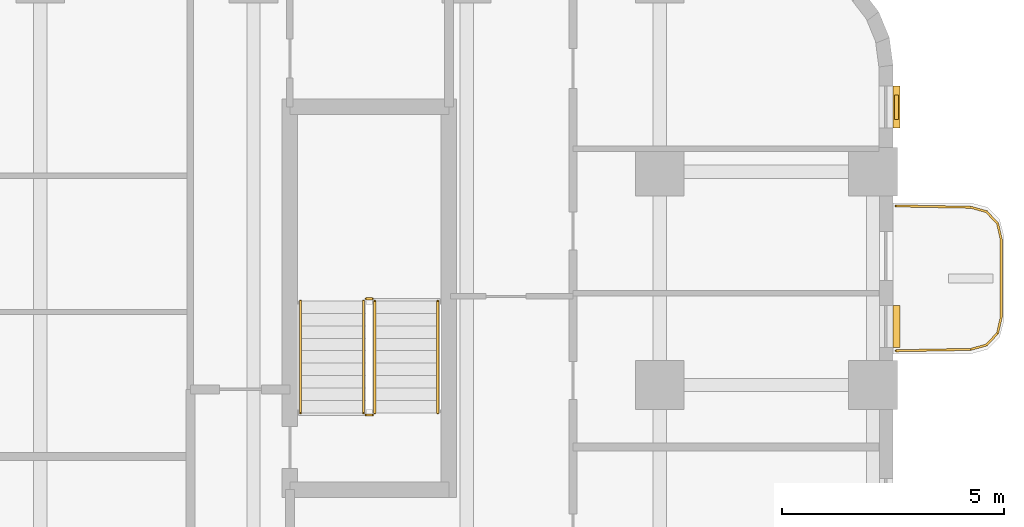
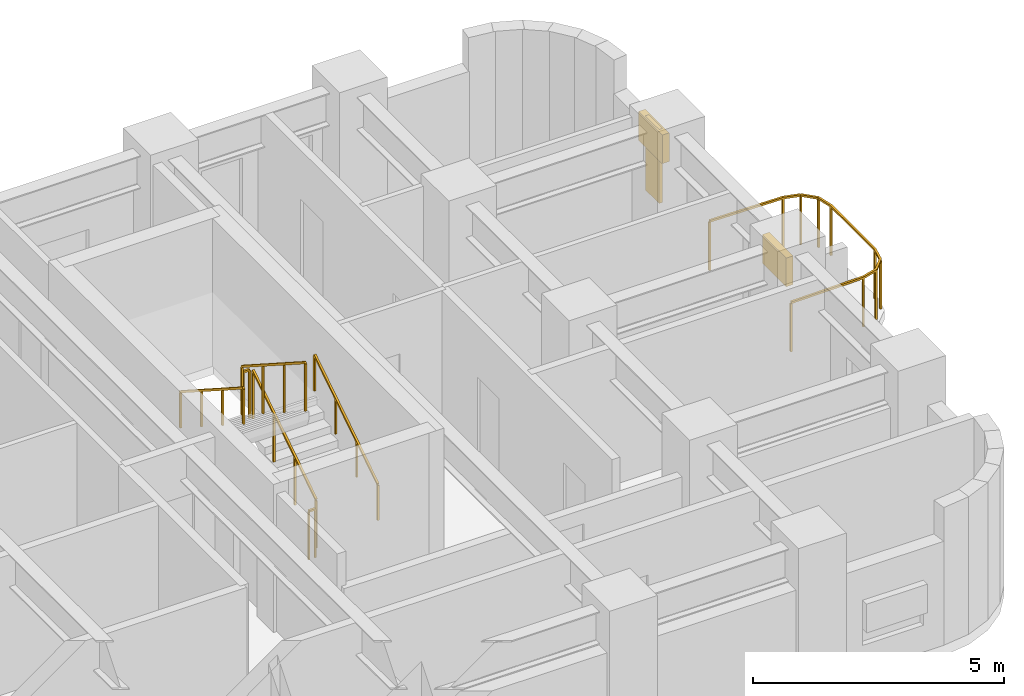
# One storey, part 11 of 12: 7 railings, 3 shading devices.
"""IFC4 building model written with IfcOpenShell, lengths in metres."""

import ifcopenshell
import ifcopenshell.guid

model = None  # the IFC model being written
_history = None  # IfcOwnerHistory: only IFC2X3 demands one
_inside = {}  # id of a spatial element -> (the spatial element, [elements in it])
_under = {}  # id of a project, library or spatial element -> (it, [spatial elements below it])
_declared = {}  # id of a project -> (the project, [libraries it declares])
_typed = {}  # id of a type object -> (the type object, [elements of that type])
_made_of = {}  # id of a material, layer set ... -> (it, [elements and type objects made of it])


def new_model(schema):
    """Start an empty IFC model of exactly this schema.

    Asked for "IFC4X3", IfcOpenShell would pick the latest addendum, in which some entities
    have other attributes; the version numbers below select the first issue.
    IFC2X3 requires an IfcOwnerHistory on every rooted entity: one is made here for all.
    """
    global model, _history
    if schema == "IFC4X3":
        model = ifcopenshell.file(schema_version=(4, 3, 0, 0))
    else:
        model = ifcopenshell.file(schema=schema)
    _inside.clear()
    _under.clear()
    _declared.clear()
    _typed.clear()
    _made_of.clear()
    _history = None
    if model.schema == "IFC2X3":
        org = make("IfcOrganization", Name="unknown")
        user = make(
            "IfcPersonAndOrganization",
            ThePerson=make("IfcPerson", FamilyName="unknown"),
            TheOrganization=org,
        )
        app = make(
            "IfcApplication",
            ApplicationDeveloper=org,
            Version="unknown",
            ApplicationFullName="unknown",
            ApplicationIdentifier="unknown",
        )
        _history = make(
            "IfcOwnerHistory",
            OwningUser=user,
            OwningApplication=app,
            ChangeAction="ADDED",
            CreationDate=0,
        )
    return model


def make(cls, **values):
    """One entity of the class cls with the attributes given. An attribute that is None is left unset."""
    return model.create_entity(
        cls, **{name: value for name, value in values.items() if value is not None}
    )


def rooted(cls, **values):
    """An entity with a GlobalId (a new one), such as an element, a storey or a relation."""
    return make(cls, GlobalId=ifcopenshell.guid.new(), OwnerHistory=_history, **values)


def si_unit(unit_type, name, prefix=None):
    """IfcSIUnit, for example si_unit("LENGTHUNIT", "METRE", prefix="MILLI")."""
    return make("IfcSIUnit", UnitType=unit_type, Prefix=prefix, Name=name)


def assignment(units):
    """IfcUnitAssignment: the units of a project."""
    return None if units is None else make("IfcUnitAssignment", Units=units)


def point(xyz):
    """IfcCartesianPoint."""
    return None if xyz is None else make("IfcCartesianPoint", Coordinates=xyz)


def direction(xyz):
    """IfcDirection."""
    return None if xyz is None else make("IfcDirection", DirectionRatios=xyz)


def frame(location, z_axis=None, x_axis=None):
    """IfcAxis2Placement3D, a coordinate frame: its origin and axes. An axis left out is left unset."""
    return make(
        "IfcAxis2Placement3D",
        Location=point(location),
        Axis=direction(z_axis),
        RefDirection=direction(x_axis),
    )


def frame_2d(location, x_axis=None):
    """IfcAxis2Placement2D, a coordinate frame in the plane: its origin and x axis."""
    return make(
        "IfcAxis2Placement2D", Location=point(location), RefDirection=direction(x_axis)
    )


def origin():
    """The frame at (0, 0, 0) with its axes left unset."""
    return frame((0.0, 0.0, 0.0))


def origin_2d():
    """The frame at (0, 0) in the plane with its x axis left unset."""
    return frame_2d((0.0, 0.0))


def place(relative_to, where):
    """IfcLocalPlacement: puts the frame where relative to a parent placement (None: the world)."""
    return make(
        "IfcLocalPlacement", PlacementRelTo=relative_to, RelativePlacement=where
    )


def context(
    kind, dimensions, precision=None, world=None, true_north=None, identifier=None
):
    """IfcGeometricRepresentationContext, for example the 3D "Model" context."""
    return make(
        "IfcGeometricRepresentationContext",
        ContextIdentifier=identifier,
        ContextType=kind,
        CoordinateSpaceDimension=dimensions,
        Precision=precision,
        WorldCoordinateSystem=world,
        TrueNorth=true_north,
    )


def subcontext(parent, identifier, kind, view, scale=None):
    """IfcGeometricRepresentationSubContext, for example "Body" below "Model"."""
    return make(
        "IfcGeometricRepresentationSubContext",
        ContextIdentifier=identifier,
        ContextType=kind,
        ParentContext=parent,
        TargetScale=scale,
        TargetView=view,
    )


def project(units=None, contexts=None):
    """IfcProject with its units and contexts."""
    return rooted(
        "IfcProject",
        Name="project",
        RepresentationContexts=contexts,
        UnitsInContext=assignment(units),
    )


def spatial(cls, under=None, at=None, **own):
    """A site, building, storey or space (cls), placed at a placement, below another one or the project."""
    s = rooted(cls, ObjectPlacement=at, **own)
    if under is not None:
        _under.setdefault(under.id(), (under, []))[1].append(s)
    return s


def profile(cls, at=None, kind="AREA", **sizes):
    """A parametric profile (cls). Its sizes go by their IFC names, for example OverallWidth=200.0."""
    return make(cls, ProfileType=kind, Position=at, **sizes)


def rectangle(**sizes):
    """IfcRectangleProfileDef."""
    return profile("IfcRectangleProfileDef", **sizes)


def extrude(swept, where, along, depth):
    """IfcExtrudedAreaSolid: the profile swept, set in the frame where, extruded along a direction by depth."""
    return make(
        "IfcExtrudedAreaSolid",
        SweptArea=swept,
        Position=where,
        ExtrudedDirection=direction(along),
        Depth=depth,
    )


def shape(context_of_items, identifier, shape_type, items):
    """IfcShapeRepresentation: the items that make up one representation, for example the "Body"."""
    return make(
        "IfcShapeRepresentation",
        ContextOfItems=context_of_items,
        RepresentationIdentifier=identifier,
        RepresentationType=shape_type,
        Items=items,
    )


def material(Name=None, Category=None):
    """IfcMaterial."""
    return make("IfcMaterial", Name=Name, Category=Category)


def made_of(thing, what):
    """Note that an element or type object is made of a material, layer set ...; save() writes the relation."""
    if what is not None:
        _made_of.setdefault(what.id(), (what, []))[1].append(thing)
    return thing


def type_object(cls, material=None, **own):
    """A type object (cls), such as IfcWallType, which elements share."""
    return made_of(rooted(cls, **own), material)


def element(
    cls,
    number,
    at=None,
    inside=None,
    cuts=None,
    type_object=None,
    material=None,
    context=None,
    identifier="Body",
    shape_type=None,
    held_by="IfcProductDefinitionShape",
    body=None,
    shapes=None,
    **own,
):
    """One element of the class cls, such as IfcWall. Its Tag is "e" and its number.

    at: its placement. inside: the storey or other place that contains it. cuts: it is an
    opening in that element (IfcRelVoidsElement). A single representation is given by context,
    identifier, shape_type and body (its items); several are given by shapes. held_by: the class
    of the entity that holds the representations. save() writes the other relations.
    """
    e = rooted(cls, Tag="e%d" % number, ObjectPlacement=at, **own)
    if body is not None:
        shapes = [shape(context, identifier, shape_type, body)]
    if shapes is not None:
        e.Representation = make(held_by, Representations=shapes)
    if inside is not None:
        _inside.setdefault(inside.id(), (inside, []))[1].append(e)
    if cuts is not None:
        rooted(
            "IfcRelVoidsElement", RelatingBuildingElement=cuts, RelatedOpeningElement=e
        )
    if type_object is not None:
        _typed.setdefault(type_object.id(), (type_object, []))[1].append(e)
    return made_of(e, material)


def aggregate(whole, parts):
    """IfcRelAggregates: a whole, such as a stair, and the parts it consists of."""
    return rooted("IfcRelAggregates", RelatingObject=whole, RelatedObjects=parts)


def save(model, path):
    """Write the relations noted so far, then the file.

    IfcRelAggregates (storeys below a building ...), IfcRelContainedInSpatialStructure (elements
    in a storey), IfcRelDefinesByType, IfcRelAssociatesMaterial and IfcRelDeclares: one each for
    every whole, place, type object, material and project.
    """
    for whole, parts in _under.values():
        aggregate(whole, parts)
    for where, things in _inside.values():
        rooted(
            "IfcRelContainedInSpatialStructure",
            RelatedElements=things,
            RelatingStructure=where,
        )
    for kind, things in _typed.values():
        rooted("IfcRelDefinesByType", RelatedObjects=things, RelatingType=kind)
    for what, things in _made_of.values():
        rooted("IfcRelAssociatesMaterial", RelatedObjects=things, RelatingMaterial=what)
    for by, libraries in _declared.values():
        rooted("IfcRelDeclares", RelatingContext=by, RelatedDefinitions=libraries)
    model.write(path)


model = new_model("IFC4")

# Units and contexts
model_context = context("Model", 3, precision=1e-05, world=origin(), true_north=direction((0.0, 1.0)))
body_context = subcontext(model_context, "Body", "Model", "MODEL_VIEW")
ifc_project = project(units=[si_unit("LENGTHUNIT", "METRE"), si_unit("AREAUNIT", "SQUARE_METRE"), si_unit("VOLUMEUNIT", "CUBIC_METRE"), si_unit("PLANEANGLEUNIT", "RADIAN"), si_unit("MASSUNIT", "GRAM", prefix="KILO")], contexts=[model_context])

# Site, building, storey
site_placement = place(None, origin())
site = spatial("IfcSite", under=ifc_project, at=site_placement, CompositionType="ELEMENT")
building_placement = place(site_placement, origin())
building = spatial("IfcBuilding", under=site, at=building_placement, Name="Orvandelia Arch Residences", CompositionType="ELEMENT")
storey_placement = place(building_placement, frame((0.0, 0.0, 57.39990234375)))
storey = spatial("IfcBuildingStorey", under=building, at=storey_placement, Name="L14", CompositionType="ELEMENT", Elevation=57.39990234375)

# Railings
ifc_material_1 = material(Name="Marine-Grade Stainless Steel 316", Category="steel")
railing_type_1 = type_object("IfcRailingType", Name="GRD-BAL-1200", PredefinedType="BALUSTRADE", material=ifc_material_1)
railing_1_placement = place(storey_placement, frame((57.671875, 39.169677734375, 0.0)))
element("IfcRailing", 1, at=railing_1_placement, inside=storey, type_object=railing_type_1, Name="Safety Balustrade Guard GRD-L14-BAL-L14-E1-1", PredefinedType="BALUSTRADE", context=body_context, shape_type="SweptSolid", body=[
    extrude(rectangle(XDim=0.048095703125, YDim=0.048095703125, at=origin_2d()), frame((0.0, 0.0, 1.19580078125), z_axis=(0.999837384468, 0.018033430643, 0.0), x_axis=(-0.018033430643, 0.999837384468, 0.0)), (0.0, 0.0, 1.0), 1.6787109375),
    extrude(rectangle(XDim=0.048095703125, YDim=0.048095703125, at=origin_2d()), frame((1.678466796875, 0.0302734375, 1.19580078125), z_axis=(0.963441293861, 0.267919527627, 0.0), x_axis=(-0.267919527627, 0.963441293861, 0.0)), (0.0, 0.0, 1.0), 0.365478515625),
    extrude(rectangle(XDim=0.048095703125, YDim=0.048095703125, at=origin_2d()), frame((2.030517578125, 0.128173828125, 1.19580078125), z_axis=(0.688296224633, 0.725429739642, 0.0), x_axis=(-0.725429739642, 0.688296224633, 0.0)), (0.0, 0.0, 1.0), 0.3681640625),
    extrude(rectangle(XDim=0.048095703125, YDim=0.048095703125, at=origin_2d()), frame((2.283935546875, 0.395263671875, 1.19580078125), z_axis=(0.221225034864, 0.975222786828, 0.0), x_axis=(-0.975222786828, 0.221225034864, 0.0)), (0.0, 0.0, 1.0), 0.373046875),
    extrude(rectangle(XDim=0.048095703125, YDim=0.048095703125, at=origin_2d()), frame((2.366455078125, 0.759033203125, 1.19580078125), z_axis=(0.0, 1.0, 0.0), x_axis=(-1.0, 0.0, 0.0)), (0.0, 0.0, 1.0), 1.74267578125),
    extrude(rectangle(XDim=0.048095703125, YDim=0.048095703125, at=origin_2d()), frame((2.366455078125, 2.501708984375, 1.19580078125), z_axis=(-0.221225034864, 0.975222786828, 0.0), x_axis=(-0.975222786828, -0.221225034864, 0.0)), (0.0, 0.0, 1.0), 0.373046875),
    extrude(rectangle(XDim=0.048095703125, YDim=0.048095703125, at=origin_2d()), frame((2.283935546875, 2.865478515625, 1.19580078125), z_axis=(-0.688627404251, 0.725115368831, 0.0), x_axis=(-0.725115368831, -0.688627404251, 0.0)), (0.0, 0.0, 1.0), 0.367919921875),
    extrude(rectangle(XDim=0.048095703125, YDim=0.048095703125, at=origin_2d()), frame((2.030517578125, 3.13232421875, 1.19580078125), z_axis=(-0.963441293861, 0.267919527627, 0.0), x_axis=(-0.267919527627, -0.963441293861, 0.0)), (0.0, 0.0, 1.0), 0.365478515625),
    extrude(rectangle(XDim=0.048095703125, YDim=0.048095703125, at=origin_2d()), frame((1.678466796875, 3.230224609375, 1.19580078125), z_axis=(-0.999834751713, 0.018178813668, 0.0), x_axis=(-0.018178813668, -0.999834751713, 0.0)), (0.0, 0.0, 1.0), 1.6787109375),
    extrude(rectangle(XDim=0.0419921875, YDim=0.0419921875, at=origin_2d()), origin(), (0.0, 0.0, 1.0), 1.171875),
    extrude(rectangle(XDim=0.0419921875, YDim=0.0419921875, at=origin_2d()), frame((1.678466796875, 0.0302734375, 0.0)), (0.0, 0.0, 1.0), 1.171875),
    extrude(rectangle(XDim=0.0419921875, YDim=0.0419921875, at=origin_2d()), frame((2.030517578125, 0.128173828125, 0.0)), (0.0, 0.0, 1.0), 1.171875),
    extrude(rectangle(XDim=0.0419921875, YDim=0.0419921875, at=origin_2d()), frame((2.283935546875, 0.395263671875, 0.0)), (0.0, 0.0, 1.0), 1.171875),
    extrude(rectangle(XDim=0.0419921875, YDim=0.0419921875, at=origin_2d()), frame((2.366455078125, 0.759033203125, 0.0)), (0.0, 0.0, 1.0), 1.171875),
    extrude(rectangle(XDim=0.0419921875, YDim=0.0419921875, at=origin_2d()), frame((2.366455078125, 2.501708984375, 0.0)), (0.0, 0.0, 1.0), 1.171875),
    extrude(rectangle(XDim=0.0419921875, YDim=0.0419921875, at=origin_2d()), frame((2.283935546875, 2.865478515625, 0.0)), (0.0, 0.0, 1.0), 1.171875),
    extrude(rectangle(XDim=0.0419921875, YDim=0.0419921875, at=origin_2d()), frame((2.030517578125, 3.13232421875, 0.0)), (0.0, 0.0, 1.0), 1.171875),
    extrude(rectangle(XDim=0.0419921875, YDim=0.0419921875, at=origin_2d()), frame((1.678466796875, 3.230224609375, 0.0)), (0.0, 0.0, 1.0), 1.171875),
    extrude(rectangle(XDim=0.0419921875, YDim=0.0419921875, at=origin_2d()), frame((0.0, 3.2607421875, 0.0)), (0.0, 0.0, 1.0), 1.171875),
])
ifc_material_2 = material(Name="Brushed Stainless Steel 304", Category="steel")
railing_type_2 = type_object("IfcRailingType", Name="RL-STAIR-GD1120", PredefinedType="GUARDRAIL", material=ifc_material_2)
railing_2_placement = place(storey_placement, frame((45.929931640625, 37.77001953125, 0.18017578125)))
element("IfcRailing", 2, at=railing_2_placement, inside=storey, type_object=railing_type_2, Name="L14 ST-3 stair guard 1", PredefinedType="GUARDRAIL", context=body_context, shape_type="SweptSolid", body=[
    extrude(rectangle(XDim=0.048095703125, YDim=0.048095703125, at=origin_2d()), frame((0.0, 0.0, 1.17578125), z_axis=(0.0, 0.841199657755, 0.540724639528), x_axis=(-1.0, 0.0, 0.0)), (0.0, 0.0, 1.0), 2.995849609375),
    extrude(rectangle(XDim=0.0419921875, YDim=0.0419921875, at=origin_2d()), origin(), (0.0, 0.0, 1.0), 1.15185546875),
    extrude(rectangle(XDim=0.0419921875, YDim=0.0419921875, at=origin_2d()), frame((0.0, 0.840087890625, 0.5400390625)), (0.0, 0.0, 1.0), 1.15185546875),
    extrude(rectangle(XDim=0.0419921875, YDim=0.0419921875, at=origin_2d()), frame((0.0, 1.679931640625, 1.079833984375)), (0.0, 0.0, 1.0), 1.15185546875),
    extrude(rectangle(XDim=0.0419921875, YDim=0.0419921875, at=origin_2d()), frame((0.0, 2.52001953125, 1.619873046875)), (0.0, 0.0, 1.0), 1.15185546875),
])
railing_3_placement = place(storey_placement, frame((45.8798828125, 40.340087890625, 1.800048828125)))
element("IfcRailing", 3, at=railing_3_placement, inside=storey, type_object=railing_type_2, Name="L14 ST-3 stair guard 2", PredefinedType="GUARDRAIL", context=body_context, shape_type="SweptSolid", body=[
    extrude(rectangle(XDim=0.048095703125, YDim=0.048095703125, at=origin_2d()), frame((0.0, 0.0, 1.17578125), z_axis=(-1.0, 0.0, 0.0), x_axis=(0.0, -1.0, 0.0)), (0.0, 0.0, 1.0), 0.14990234375),
    extrude(rectangle(XDim=0.0419921875, YDim=0.0419921875, at=origin_2d()), origin(), (0.0, 0.0, 1.0), 1.15185546875),
    extrude(rectangle(XDim=0.0419921875, YDim=0.0419921875, at=origin_2d()), frame((-0.14990234375, 0.0, 0.0)), (0.0, 0.0, 1.0), 1.15185546875),
])
railing_4_placement = place(storey_placement, frame((45.679931640625, 40.2900390625, 1.97998046875)))
element("IfcRailing", 4, at=railing_4_placement, inside=storey, type_object=railing_type_2, Name="L14 ST-3 stair guard 3", PredefinedType="GUARDRAIL", context=body_context, shape_type="SweptSolid", body=[
    extrude(rectangle(XDim=0.048095703125, YDim=0.048095703125, at=origin_2d()), frame((0.0, 0.0, 1.17578125), z_axis=(0.0, -0.841162588446, 0.540782303519), x_axis=(1.0, 0.0, 0.0)), (0.0, 0.0, 1.0), 2.995849609375),
    extrude(rectangle(XDim=0.0419921875, YDim=0.0419921875, at=origin_2d()), origin(), (0.0, 0.0, 1.0), 1.15185546875),
    extrude(rectangle(XDim=0.0419921875, YDim=0.0419921875, at=origin_2d()), frame((0.0, -0.840087890625, 0.5400390625)), (0.0, 0.0, 1.0), 1.15185546875),
    extrude(rectangle(XDim=0.0419921875, YDim=0.0419921875, at=origin_2d()), frame((0.0, -1.679931640625, 1.080078125)), (0.0, 0.0, 1.0), 1.15185546875),
    extrude(rectangle(XDim=0.0419921875, YDim=0.0419921875, at=origin_2d()), frame((0.0, -2.52001953125, 1.6201171875)), (0.0, 0.0, 1.0), 1.15185546875),
])
railing_5_placement = place(storey_placement, frame((45.8798828125, 37.719970703125, 0.0)))
element("IfcRailing", 5, at=railing_5_placement, inside=storey, type_object=railing_type_2, Name="L14 ST-3 stair guard 4", PredefinedType="GUARDRAIL", context=body_context, shape_type="SweptSolid", body=[
    extrude(rectangle(XDim=0.048095703125, YDim=0.048095703125, at=origin_2d()), frame((0.0, 0.0, 1.17578125), z_axis=(-1.0, 0.0, 0.0), x_axis=(0.0, -1.0, 0.0)), (0.0, 0.0, 1.0), 0.14990234375),
    extrude(rectangle(XDim=0.0419921875, YDim=0.0419921875, at=origin_2d()), origin(), (0.0, 0.0, 1.0), 1.15185546875),
    extrude(rectangle(XDim=0.0419921875, YDim=0.0419921875, at=origin_2d()), frame((-0.14990234375, 0.0, 0.0)), (0.0, 0.0, 1.0), 1.15185546875),
])
railing_type_3 = type_object("IfcRailingType", Name="RL-STAIR-HR920", PredefinedType="HANDRAIL", material=ifc_material_2)
railing_6_placement = place(storey_placement, frame((47.35009765625, 37.77001953125, 0.360107421875)))
element("IfcRailing", 6, at=railing_6_placement, inside=storey, type_object=railing_type_3, Name="L14 ST-3 stair handrail 1", PredefinedType="HANDRAIL", context=body_context, shape_type="SweptSolid", body=[
    extrude(rectangle(XDim=0.048095703125, YDim=0.048095703125, at=origin_2d()), frame((0.0, 0.0, 0.8759765625), z_axis=(0.0, 0.841199657755, 0.540724639528), x_axis=(-1.0, 0.0, 0.0)), (0.0, 0.0, 1.0), 2.995849609375),
    extrude(rectangle(XDim=0.0419921875, YDim=0.0419921875, at=origin_2d()), origin(), (0.0, 0.0, 1.0), 0.851806640625),
    extrude(rectangle(XDim=0.0419921875, YDim=0.0419921875, at=origin_2d()), frame((0.0, 0.840087890625, 0.5400390625)), (0.0, 0.0, 1.0), 0.851806640625),
    extrude(rectangle(XDim=0.0419921875, YDim=0.0419921875, at=origin_2d()), frame((0.0, 1.679931640625, 1.079833984375)), (0.0, 0.0, 1.0), 0.851806640625),
    extrude(rectangle(XDim=0.0419921875, YDim=0.0419921875, at=origin_2d()), frame((0.0, 2.52001953125, 1.619873046875)), (0.0, 0.0, 1.0), 0.851806640625),
])
railing_7_placement = place(storey_placement, frame((44.260009765625, 40.2900390625, 2.16015625)))
element("IfcRailing", 7, at=railing_7_placement, inside=storey, type_object=railing_type_3, Name="L14 ST-3 stair handrail 2", PredefinedType="HANDRAIL", context=body_context, shape_type="SweptSolid", body=[
    extrude(rectangle(XDim=0.048095703125, YDim=0.048095703125, at=origin_2d()), frame((0.0, 0.0, 0.8759765625), z_axis=(0.0, -0.841199657755, 0.540724639528), x_axis=(1.0, 0.0, 0.0)), (0.0, 0.0, 1.0), 2.995849609375),
    extrude(rectangle(XDim=0.0419921875, YDim=0.0419921875, at=origin_2d()), origin(), (0.0, 0.0, 1.0), 0.851806640625),
    extrude(rectangle(XDim=0.0419921875, YDim=0.0419921875, at=origin_2d()), frame((0.0, -0.840087890625, 0.5400390625)), (0.0, 0.0, 1.0), 0.851806640625),
    extrude(rectangle(XDim=0.0419921875, YDim=0.0419921875, at=origin_2d()), frame((0.0, -1.679931640625, 1.079833984375)), (0.0, 0.0, 1.0), 0.851806640625),
    extrude(rectangle(XDim=0.0419921875, YDim=0.0419921875, at=origin_2d()), frame((0.0, -2.52001953125, 1.619873046875)), (0.0, 0.0, 1.0), 0.851806640625),
])

# Shading devices
ifc_material_3 = material(Name="Anodised Champagne-Bronze Extruded Aluminium", Category="aluminium")
shading_device_type_1 = type_object("IfcShadingDeviceType", Name="SHD-JALOUSIE-SCREEN", PredefinedType="JALOUSIE", material=ifc_material_3)
for number, where, z_axis, x_axis, name in (
    (8, (57.679931640625, 44.655029296875, 1.55029296875), (0.0, 0.0, 1.0), (0.0, -1.0, 0.0), "Bronze Jalousie Sun-Shade L14-003"),
    (9, (57.679931640625, 39.717529296875, 1.55029296875), (0.0, 0.0, 1.0), (0.0, -1.0, 0.0), "Bronze Jalousie Sun-Shade L14-004"),
):
    element("IfcShadingDevice", number, at=place(storey_placement, frame(where, z_axis=z_axis, x_axis=x_axis)), inside=storey, type_object=shading_device_type_1, Name=name, PredefinedType="JALOUSIE", context=body_context, shape_type="SweptSolid", body=[
        extrude(rectangle(XDim=0.949951171875, YDim=0.159912109375, at=origin_2d()), origin(), (0.0, 0.0, 1.0), 0.699951171875),
    ])
ifc_material_4 = material(Name="Marine-Grade Perforated Aluminium Storm Shutter", Category="aluminium")
shading_device_type_2 = type_object("IfcShadingDeviceType", Name="SHD-STORM-SHUTTER", PredefinedType="SHUTTER", material=ifc_material_4)
shading_device_placement = place(storey_placement, frame((57.679931640625, 44.655029296875, 0.4501953125), z_axis=(0.0, 0.0, 1.0), x_axis=(0.0, -1.0, 0.0)))
element("IfcShadingDevice", 10, at=shading_device_placement, inside=storey, type_object=shading_device_type_2, Name="Operable Typhoon Storm Shutter L14-003", PredefinedType="SHUTTER", context=body_context, shape_type="SweptSolid", body=[
    extrude(rectangle(XDim=0.550048828125, YDim=0.080078125, at=origin_2d()), origin(), (0.0, 0.0, 1.0), 1.800048828125),
])

save(model, "model.ifc")
